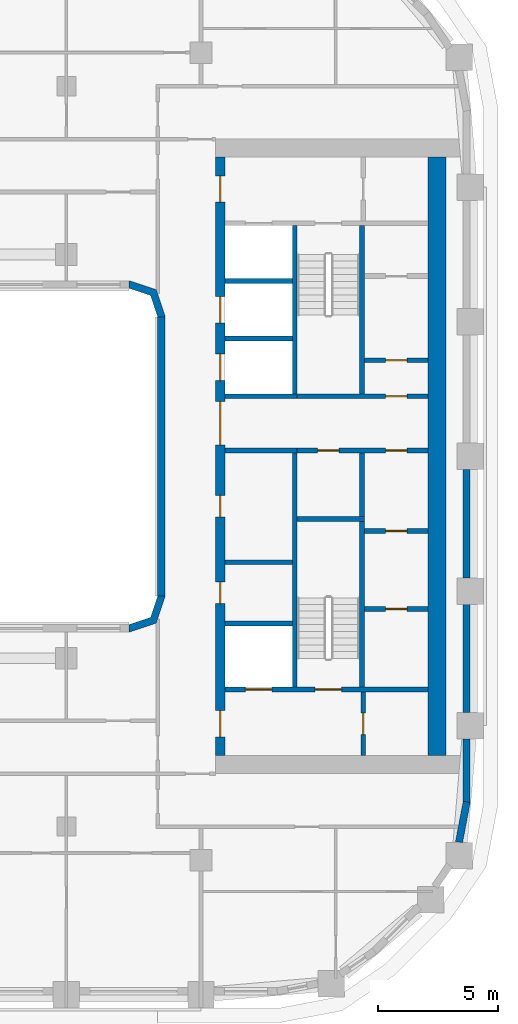
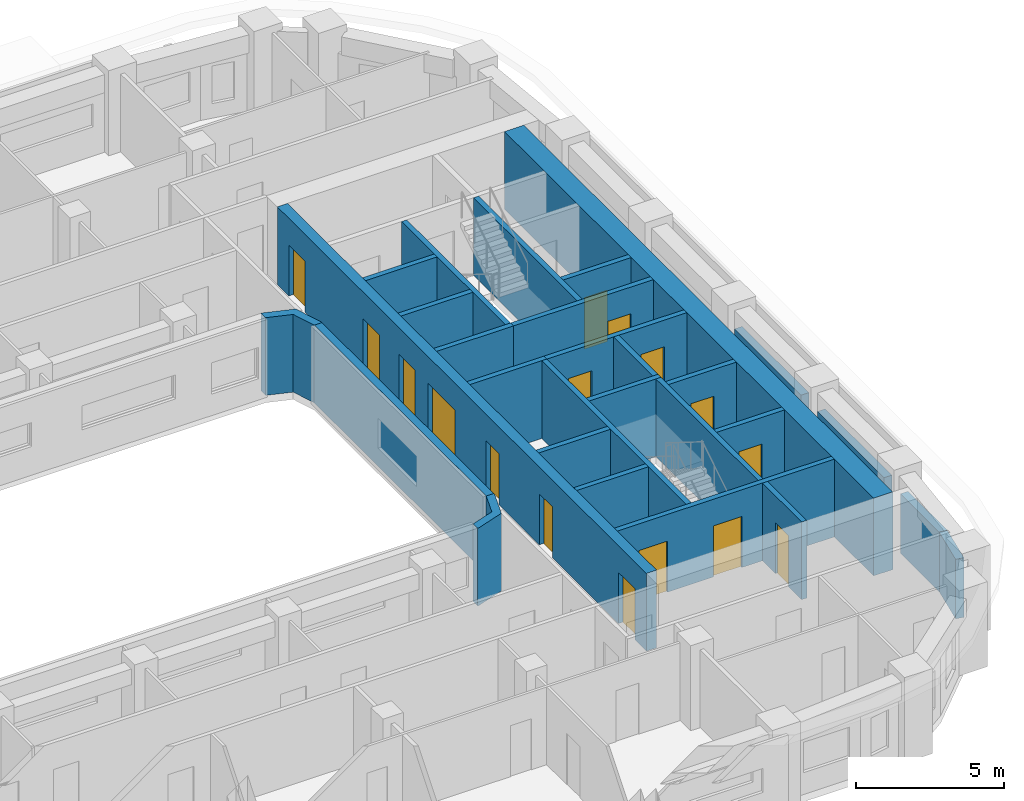
# One storey, part 6 of 22: 28 walls, 16 doors, 16 openings.
"""IFC4 building model written with IfcOpenShell, lengths in metres."""

import ifcopenshell
import ifcopenshell.guid

model = None  # the IFC model being written
_history = None  # IfcOwnerHistory: only IFC2X3 demands one
_inside = {}  # id of a spatial element -> (the spatial element, [elements in it])
_under = {}  # id of a project, library or spatial element -> (it, [spatial elements below it])
_declared = {}  # id of a project -> (the project, [libraries it declares])
_typed = {}  # id of a type object -> (the type object, [elements of that type])
_made_of = {}  # id of a material, layer set ... -> (it, [elements and type objects made of it])


def new_model(schema):
    """Start an empty IFC model of exactly this schema.

    Asked for "IFC4X3", IfcOpenShell would pick the latest addendum, in which some entities
    have other attributes; the version numbers below select the first issue.
    IFC2X3 requires an IfcOwnerHistory on every rooted entity: one is made here for all.
    """
    global model, _history
    if schema == "IFC4X3":
        model = ifcopenshell.file(schema_version=(4, 3, 0, 0))
    else:
        model = ifcopenshell.file(schema=schema)
    _inside.clear()
    _under.clear()
    _declared.clear()
    _typed.clear()
    _made_of.clear()
    _history = None
    if model.schema == "IFC2X3":
        org = make("IfcOrganization", Name="unknown")
        user = make(
            "IfcPersonAndOrganization",
            ThePerson=make("IfcPerson", FamilyName="unknown"),
            TheOrganization=org,
        )
        app = make(
            "IfcApplication",
            ApplicationDeveloper=org,
            Version="unknown",
            ApplicationFullName="unknown",
            ApplicationIdentifier="unknown",
        )
        _history = make(
            "IfcOwnerHistory",
            OwningUser=user,
            OwningApplication=app,
            ChangeAction="ADDED",
            CreationDate=0,
        )
    return model


def make(cls, **values):
    """One entity of the class cls with the attributes given. An attribute that is None is left unset."""
    return model.create_entity(
        cls, **{name: value for name, value in values.items() if value is not None}
    )


def rooted(cls, **values):
    """An entity with a GlobalId (a new one), such as an element, a storey or a relation."""
    return make(cls, GlobalId=ifcopenshell.guid.new(), OwnerHistory=_history, **values)


def si_unit(unit_type, name, prefix=None):
    """IfcSIUnit, for example si_unit("LENGTHUNIT", "METRE", prefix="MILLI")."""
    return make("IfcSIUnit", UnitType=unit_type, Prefix=prefix, Name=name)


def assignment(units):
    """IfcUnitAssignment: the units of a project."""
    return None if units is None else make("IfcUnitAssignment", Units=units)


def point(xyz):
    """IfcCartesianPoint."""
    return None if xyz is None else make("IfcCartesianPoint", Coordinates=xyz)


def direction(xyz):
    """IfcDirection."""
    return None if xyz is None else make("IfcDirection", DirectionRatios=xyz)


def frame(location, z_axis=None, x_axis=None):
    """IfcAxis2Placement3D, a coordinate frame: its origin and axes. An axis left out is left unset."""
    return make(
        "IfcAxis2Placement3D",
        Location=point(location),
        Axis=direction(z_axis),
        RefDirection=direction(x_axis),
    )


def frame_2d(location, x_axis=None):
    """IfcAxis2Placement2D, a coordinate frame in the plane: its origin and x axis."""
    return make(
        "IfcAxis2Placement2D", Location=point(location), RefDirection=direction(x_axis)
    )


def origin():
    """The frame at (0, 0, 0) with its axes left unset."""
    return frame((0.0, 0.0, 0.0))


def place(relative_to, where):
    """IfcLocalPlacement: puts the frame where relative to a parent placement (None: the world)."""
    return make(
        "IfcLocalPlacement", PlacementRelTo=relative_to, RelativePlacement=where
    )


def context(
    kind, dimensions, precision=None, world=None, true_north=None, identifier=None
):
    """IfcGeometricRepresentationContext, for example the 3D "Model" context."""
    return make(
        "IfcGeometricRepresentationContext",
        ContextIdentifier=identifier,
        ContextType=kind,
        CoordinateSpaceDimension=dimensions,
        Precision=precision,
        WorldCoordinateSystem=world,
        TrueNorth=true_north,
    )


def subcontext(parent, identifier, kind, view, scale=None):
    """IfcGeometricRepresentationSubContext, for example "Body" below "Model"."""
    return make(
        "IfcGeometricRepresentationSubContext",
        ContextIdentifier=identifier,
        ContextType=kind,
        ParentContext=parent,
        TargetScale=scale,
        TargetView=view,
    )


def project(units=None, contexts=None):
    """IfcProject with its units and contexts."""
    return rooted(
        "IfcProject",
        Name="project",
        RepresentationContexts=contexts,
        UnitsInContext=assignment(units),
    )


def spatial(cls, under=None, at=None, **own):
    """A site, building, storey or space (cls), placed at a placement, below another one or the project."""
    s = rooted(cls, ObjectPlacement=at, **own)
    if under is not None:
        _under.setdefault(under.id(), (under, []))[1].append(s)
    return s


def polyline(points):
    """IfcPolyline through the points."""
    return make("IfcPolyline", Points=[point(p) for p in points])


def profile(cls, at=None, kind="AREA", **sizes):
    """A parametric profile (cls). Its sizes go by their IFC names, for example OverallWidth=200.0."""
    return make(cls, ProfileType=kind, Position=at, **sizes)


def rectangle(**sizes):
    """IfcRectangleProfileDef."""
    return profile("IfcRectangleProfileDef", **sizes)


def outline(outer, holes=None, kind="AREA"):
    """IfcArbitraryClosedProfileDef: a profile drawn as a closed curve; with holes, ...WithVoids."""
    if holes is None:
        return make("IfcArbitraryClosedProfileDef", ProfileType=kind, OuterCurve=outer)
    return make(
        "IfcArbitraryProfileDefWithVoids",
        ProfileType=kind,
        OuterCurve=outer,
        InnerCurves=holes,
    )


def extrude(swept, where, along, depth):
    """IfcExtrudedAreaSolid: the profile swept, set in the frame where, extruded along a direction by depth."""
    return make(
        "IfcExtrudedAreaSolid",
        SweptArea=swept,
        Position=where,
        ExtrudedDirection=direction(along),
        Depth=depth,
    )


def shape(context_of_items, identifier, shape_type, items):
    """IfcShapeRepresentation: the items that make up one representation, for example the "Body"."""
    return make(
        "IfcShapeRepresentation",
        ContextOfItems=context_of_items,
        RepresentationIdentifier=identifier,
        RepresentationType=shape_type,
        Items=items,
    )


def material(Name=None, Category=None):
    """IfcMaterial."""
    return make("IfcMaterial", Name=Name, Category=Category)


def layer(
    of_material, thickness, ventilated=None, Name=None, Category=None, Priority=None
):
    """IfcMaterialLayer: one layer of a wall or slab, of a material (None: an air gap)."""
    return make(
        "IfcMaterialLayer",
        Material=of_material,
        LayerThickness=thickness,
        IsVentilated=ventilated,
        Name=Name,
        Category=Category,
        Priority=Priority,
    )


def layer_set(layers, Name=None):
    """IfcMaterialLayerSet."""
    return make("IfcMaterialLayerSet", MaterialLayers=layers, LayerSetName=Name)


def made_of(thing, what):
    """Note that an element or type object is made of a material, layer set ...; save() writes the relation."""
    if what is not None:
        _made_of.setdefault(what.id(), (what, []))[1].append(thing)
    return thing


def type_object(cls, material=None, **own):
    """A type object (cls), such as IfcWallType, which elements share."""
    return made_of(rooted(cls, **own), material)


def element(
    cls,
    number,
    at=None,
    inside=None,
    cuts=None,
    type_object=None,
    material=None,
    context=None,
    identifier="Body",
    shape_type=None,
    held_by="IfcProductDefinitionShape",
    body=None,
    shapes=None,
    **own,
):
    """One element of the class cls, such as IfcWall. Its Tag is "e" and its number.

    at: its placement. inside: the storey or other place that contains it. cuts: it is an
    opening in that element (IfcRelVoidsElement). A single representation is given by context,
    identifier, shape_type and body (its items); several are given by shapes. held_by: the class
    of the entity that holds the representations. save() writes the other relations.
    """
    e = rooted(cls, Tag="e%d" % number, ObjectPlacement=at, **own)
    if body is not None:
        shapes = [shape(context, identifier, shape_type, body)]
    if shapes is not None:
        e.Representation = make(held_by, Representations=shapes)
    if inside is not None:
        _inside.setdefault(inside.id(), (inside, []))[1].append(e)
    if cuts is not None:
        rooted(
            "IfcRelVoidsElement", RelatingBuildingElement=cuts, RelatedOpeningElement=e
        )
    if type_object is not None:
        _typed.setdefault(type_object.id(), (type_object, []))[1].append(e)
    return made_of(e, material)


def fill(opening, filler):
    """IfcRelFillsElement: the door or window that sits in an opening."""
    return rooted(
        "IfcRelFillsElement",
        RelatingOpeningElement=opening,
        RelatedBuildingElement=filler,
    )


def aggregate(whole, parts):
    """IfcRelAggregates: a whole, such as a stair, and the parts it consists of."""
    return rooted("IfcRelAggregates", RelatingObject=whole, RelatedObjects=parts)


def save(model, path):
    """Write the relations noted so far, then the file.

    IfcRelAggregates (storeys below a building ...), IfcRelContainedInSpatialStructure (elements
    in a storey), IfcRelDefinesByType, IfcRelAssociatesMaterial and IfcRelDeclares: one each for
    every whole, place, type object, material and project.
    """
    for whole, parts in _under.values():
        aggregate(whole, parts)
    for where, things in _inside.values():
        rooted(
            "IfcRelContainedInSpatialStructure",
            RelatedElements=things,
            RelatingStructure=where,
        )
    for kind, things in _typed.values():
        rooted("IfcRelDefinesByType", RelatedObjects=things, RelatingType=kind)
    for what, things in _made_of.values():
        rooted("IfcRelAssociatesMaterial", RelatedObjects=things, RelatingMaterial=what)
    for by, libraries in _declared.values():
        rooted("IfcRelDeclares", RelatingContext=by, RelatedDefinitions=libraries)
    model.write(path)


model = new_model("IFC4")

# Units and contexts
model_context = context("Model", 3, precision=1e-05, world=origin(), true_north=direction((0.0, 1.0)))
body_context = subcontext(model_context, "Body", "Model", "MODEL_VIEW")
ifc_project = project(units=[si_unit("LENGTHUNIT", "METRE"), si_unit("AREAUNIT", "SQUARE_METRE"), si_unit("VOLUMEUNIT", "CUBIC_METRE"), si_unit("PLANEANGLEUNIT", "RADIAN"), si_unit("MASSUNIT", "GRAM", prefix="KILO")], contexts=[model_context])

# Site, building, storey
site_placement = place(None, origin())
site = spatial("IfcSite", under=ifc_project, at=site_placement, CompositionType="ELEMENT")
building_placement = place(site_placement, origin())
building = spatial("IfcBuilding", under=site, at=building_placement, Name="Kiln Ring Residences", CompositionType="ELEMENT")
storey_placement = place(building_placement, frame((0.0, 0.0, 153.60009765625)))
storey = spatial("IfcBuildingStorey", under=building, at=storey_placement, Name="L39", CompositionType="ELEMENT", Elevation=153.60009765625)

# Wall
ifc_material_1 = material(Name="Gypsum board on steel studs", Category="steel")
ifc_layer_1 = layer(ifc_material_1, 0.199951171875)
ifc_layer_set_1 = layer_set([ifc_layer_1], Name="CORE-PARTITION-200")
wall_type_1 = type_object("IfcWallType", Name="CORE-PARTITION-200", PredefinedType="PARTITIONING", material=ifc_layer_set_1)
wall_1_placement = place(storey_placement, frame((23.5, -2.5, 0.0), z_axis=(0.0, 0.0, 1.0), x_axis=(0.0, 1.0, 0.0)))
element("IfcWall", 1, at=wall_1_placement, inside=storey, type_object=wall_type_1, Name="Core partition east L39 1", PredefinedType="PARTITIONING", context=body_context, shape_type="SweptSolid", body=[
    extrude(rectangle(XDim=2.64990234375, YDim=0.199951171875, at=frame_2d((1.324951171875, 0.0))), origin(), (0.0, 0.0, 1.0), 3.199951171875),
])

# Wall, openings, doors
wall_2_placement = place(storey_placement, frame((20.800048828125, 0.25, 0.0), z_axis=(0.0, 0.0, 1.0), x_axis=(1.0, 0.0, 0.0)))
wall_2 = element("IfcWall", 2, at=wall_2_placement, inside=storey, type_object=wall_type_1, Name="Core partition east L39 2", PredefinedType="PARTITIONING", context=body_context, shape_type="SweptSolid", body=[
    extrude(rectangle(XDim=5.449951171875, YDim=0.199951171875, at=frame_2d((2.72509765625, 0.0))), origin(), (0.0, 0.0, 1.0), 3.199951171875),
])
opening_1_placement = place(wall_2_placement, frame((0.85009765625, 0.0, 0.0)))
opening_1 = element("IfcOpeningElement", 3, at=opening_1_placement, cuts=wall_2, Name="Opening L39-CE14", PredefinedType="OPENING", context=body_context, shape_type="SweptSolid", body=[
    extrude(rectangle(XDim=0.89990234375, YDim=2.10009765625, at=frame_2d((0.449951171875, 1.050048828125))), frame((0.0, 0.10986328125, 0.0), z_axis=(0.0, -1.0, 0.0), x_axis=(1.0, 0.0, 0.0)), (0.0, 0.0, 1.0), 0.219970703125),
])
opening_2_placement = place(wall_2_placement, frame((3.675048828125, 0.0, 0.0)))
opening_2 = element("IfcOpeningElement", 4, at=opening_2_placement, cuts=wall_2, Name="Opening L39-CE17", PredefinedType="OPENING", context=body_context, shape_type="SweptSolid", body=[
    extrude(rectangle(XDim=0.89990234375, YDim=2.10009765625, at=frame_2d((0.449951171875, 1.050048828125))), frame((0.0, 0.10986328125, 0.0), z_axis=(0.0, -1.0, 0.0), x_axis=(1.0, 0.0, 0.0)), (0.0, 0.0, 1.0), 0.219970703125),
])
ifc_material_2 = material(Name="Steel door leaf", Category="steel")
door_type_1 = type_object("IfcDoorType", Name="CORE-DOOR-ROOM", OperationType="SINGLE_SWING_LEFT", PredefinedType="DOOR", material=ifc_material_2)
door_1_placement = place(opening_1_placement, origin())
door_1 = element("IfcDoor", 5, at=door_1_placement, inside=storey, type_object=door_type_1, Name="Electrical riser room L39-CE14", OperationType="SINGLE_SWING_LEFT", OverallHeight=2.10009765625, OverallWidth=0.89990234375, PredefinedType="DOOR", context=body_context, shape_type="SweptSolid", body=[
    extrude(rectangle(XDim=0.89990234375, YDim=2.10009765625, at=frame_2d((0.449951171875, 1.050048828125))), frame((0.0, 0.02490234375, 0.0), z_axis=(0.0, -1.0, 0.0), x_axis=(1.0, 0.0, 0.0)), (0.0, 0.0, 1.0), 0.050048828125),
])
fill(opening_1, door_1)
door_2_placement = place(opening_2_placement, origin())
door_2 = element("IfcDoor", 6, at=door_2_placement, inside=storey, type_object=door_type_1, Name="Plant room L39-CE17", OperationType="SINGLE_SWING_RIGHT", OverallHeight=2.10009765625, OverallWidth=0.89990234375, PredefinedType="DOOR", context=body_context, shape_type="SweptSolid", body=[
    extrude(rectangle(XDim=0.89990234375, YDim=2.10009765625, at=frame_2d((0.449951171875, 1.050048828125))), frame((0.0, 0.02490234375, 0.0), z_axis=(0.0, -1.0, 0.0), x_axis=(1.0, 0.0, 0.0)), (0.0, 0.0, 1.0), 0.050048828125),
])
fill(opening_2, door_2)

# Wall
wall_3_placement = place(storey_placement, frame((17.800048828125, -4.39990234375, 0.0), z_axis=(0.0, 0.0, 1.0), x_axis=(1.0, 0.0, 0.0)))
element("IfcWall", 7, at=wall_3_placement, inside=storey, type_object=wall_type_1, Name="Core partition east L39 3", PredefinedType="PARTITIONING", context=body_context, shape_type="SweptSolid", body=[
    extrude(rectangle(XDim=2.800048828125, YDim=0.199951171875, at=frame_2d((1.39990234375, 0.0))), origin(), (0.0, 0.0, 1.0), 3.199951171875),
])

# Wall, opening, door
wall_4_placement = place(storey_placement, frame((23.550048828125, -12.449951171875, 0.0), z_axis=(0.0, 0.0, 1.0), x_axis=(0.0, 1.0, 0.0)))
wall_4 = element("IfcWall", 8, at=wall_4_placement, inside=storey, type_object=wall_type_1, Name="Core partition east L39 5", PredefinedType="PARTITIONING", context=body_context, shape_type="SweptSolid", body=[
    extrude(rectangle(XDim=2.64990234375, YDim=0.199951171875, at=frame_2d((1.324951171875, 0.0))), origin(), (0.0, 0.0, 1.0), 3.199951171875),
])
opening_3_placement = place(wall_4_placement, frame((0.875, 0.0, 0.0)))
opening_3 = element("IfcOpeningElement", 9, at=opening_3_placement, cuts=wall_4, Name="Opening L39-CE10", PredefinedType="OPENING", context=body_context, shape_type="SweptSolid", body=[
    extrude(rectangle(XDim=0.89990234375, YDim=2.10009765625, at=frame_2d((0.449951171875, 1.050048828125))), frame((0.0, 0.10986328125, 0.0), z_axis=(0.0, -1.0, 0.0), x_axis=(1.0, 0.0, 0.0)), (0.0, 0.0, 1.0), 0.219970703125),
])
door_3_placement = place(opening_3_placement, origin())
door_3 = element("IfcDoor", 10, at=door_3_placement, inside=storey, type_object=door_type_1, Name="Store L39-CE10", OperationType="SINGLE_SWING_LEFT", OverallHeight=2.10009765625, OverallWidth=0.89990234375, PredefinedType="DOOR", context=body_context, shape_type="SweptSolid", body=[
    extrude(rectangle(XDim=0.89990234375, YDim=2.10009765625, at=frame_2d((0.449951171875, 1.050048828125))), frame((0.0, 0.02490234375, 0.0), z_axis=(0.0, -1.0, 0.0), x_axis=(1.0, 0.0, 0.0)), (0.0, 0.0, 1.0), 0.050048828125),
])
fill(opening_3, door_3)

wall_5_placement = place(storey_placement, frame((23.60009765625, -6.35009765625, 0.0), z_axis=(0.0, 0.0, 1.0), x_axis=(1.0, 0.0, 0.0)))
wall_5 = element("IfcWall", 11, at=wall_5_placement, inside=storey, type_object=wall_type_1, Name="Core partition east L39 6", PredefinedType="PARTITIONING", context=body_context, shape_type="SweptSolid", body=[
    extrude(rectangle(XDim=2.64990234375, YDim=0.199951171875, at=frame_2d((1.324951171875, 0.0))), origin(), (0.0, 0.0, 1.0), 3.199951171875),
])
opening_4_placement = place(wall_5_placement, frame((0.875, 0.0, 0.0)))
opening_4 = element("IfcOpeningElement", 12, at=opening_4_placement, cuts=wall_5, Name="Opening L39-CE15", PredefinedType="OPENING", context=body_context, shape_type="SweptSolid", body=[
    extrude(rectangle(XDim=0.89990234375, YDim=2.10009765625, at=frame_2d((0.449951171875, 1.050048828125))), frame((0.0, 0.10986328125, 0.0), z_axis=(0.0, -1.0, 0.0), x_axis=(1.0, 0.0, 0.0)), (0.0, 0.0, 1.0), 0.219970703125),
])
door_4_placement = place(opening_4_placement, origin())
door_4 = element("IfcDoor", 13, at=door_4_placement, inside=storey, type_object=door_type_1, Name="Meter room L39-CE15", OperationType="SINGLE_SWING_LEFT", OverallHeight=2.10009765625, OverallWidth=0.89990234375, PredefinedType="DOOR", context=body_context, shape_type="SweptSolid", body=[
    extrude(rectangle(XDim=0.89990234375, YDim=2.10009765625, at=frame_2d((0.449951171875, 1.050048828125))), frame((0.0, 0.02490234375, 0.0), z_axis=(0.0, -1.0, 0.0), x_axis=(1.0, 0.0, 0.0)), (0.0, 0.0, 1.0), 0.050048828125),
])
fill(opening_4, door_4)

wall_6_placement = place(storey_placement, frame((23.60009765625, -3.10009765625, 0.0), z_axis=(0.0, 0.0, 1.0), x_axis=(1.0, 0.0, 0.0)))
wall_6 = element("IfcWall", 14, at=wall_6_placement, inside=storey, type_object=wall_type_1, Name="Core partition east L39 7", PredefinedType="PARTITIONING", context=body_context, shape_type="SweptSolid", body=[
    extrude(rectangle(XDim=2.64990234375, YDim=0.199951171875, at=frame_2d((1.324951171875, 0.0))), origin(), (0.0, 0.0, 1.0), 3.199951171875),
])
opening_5_placement = place(wall_6_placement, frame((0.875, 0.0, 0.0)))
opening_5 = element("IfcOpeningElement", 15, at=opening_5_placement, cuts=wall_6, Name="Opening L39-CE16", PredefinedType="OPENING", context=body_context, shape_type="SweptSolid", body=[
    extrude(rectangle(XDim=0.89990234375, YDim=2.10009765625, at=frame_2d((0.449951171875, 1.050048828125))), frame((0.0, 0.10986328125, 0.0), z_axis=(0.0, -1.0, 0.0), x_axis=(1.0, 0.0, 0.0)), (0.0, 0.0, 1.0), 0.219970703125),
])
door_5_placement = place(opening_5_placement, origin())
door_5 = element("IfcDoor", 16, at=door_5_placement, inside=storey, type_object=door_type_1, Name="Plant room L39-CE16", OperationType="SINGLE_SWING_RIGHT", OverallHeight=2.10009765625, OverallWidth=0.89990234375, PredefinedType="DOOR", context=body_context, shape_type="SweptSolid", body=[
    extrude(rectangle(XDim=0.89990234375, YDim=2.10009765625, at=frame_2d((0.449951171875, 1.050048828125))), frame((0.0, 0.02490234375, 0.0), z_axis=(0.0, -1.0, 0.0), x_axis=(1.0, 0.0, 0.0)), (0.0, 0.0, 1.0), 0.050048828125),
])
fill(opening_5, door_5)

wall_7_placement = place(storey_placement, frame((23.60009765625, 4.0, 0.0), z_axis=(0.0, 0.0, 1.0), x_axis=(1.0, 0.0, 0.0)))
wall_7 = element("IfcWall", 17, at=wall_7_placement, inside=storey, type_object=wall_type_1, Name="Core partition east L39 8", PredefinedType="PARTITIONING", context=body_context, shape_type="SweptSolid", body=[
    extrude(rectangle(XDim=2.64990234375, YDim=0.199951171875, at=frame_2d((1.324951171875, 0.0))), origin(), (0.0, 0.0, 1.0), 3.199951171875),
])
opening_6_placement = place(wall_7_placement, frame((0.875, 0.0, 0.0)))
opening_6 = element("IfcOpeningElement", 18, at=opening_6_placement, cuts=wall_7, Name="Opening L39-CE18", PredefinedType="OPENING", context=body_context, shape_type="SweptSolid", body=[
    extrude(rectangle(XDim=0.89990234375, YDim=2.10009765625, at=frame_2d((0.449951171875, 1.050048828125))), frame((0.0, 0.10986328125, 0.0), z_axis=(0.0, -1.0, 0.0), x_axis=(1.0, 0.0, 0.0)), (0.0, 0.0, 1.0), 0.219970703125),
])
door_6_placement = place(opening_6_placement, origin())
door_6 = element("IfcDoor", 19, at=door_6_placement, inside=storey, type_object=door_type_1, Name="Electrical plant room L39-CE18", OperationType="SINGLE_SWING_RIGHT", OverallHeight=2.10009765625, OverallWidth=0.89990234375, PredefinedType="DOOR", context=body_context, shape_type="SweptSolid", body=[
    extrude(rectangle(XDim=0.89990234375, YDim=2.10009765625, at=frame_2d((0.449951171875, 1.050048828125))), frame((0.0, 0.02490234375, 0.0), z_axis=(0.0, -1.0, 0.0), x_axis=(1.0, 0.0, 0.0)), (0.0, 0.0, 1.0), 0.050048828125),
])
fill(opening_6, door_6)

# Walls
ifc_material_3 = material(Name="Gypsum shaft wall system")
ifc_layer_2 = layer(ifc_material_3, 0.199951171875)
ifc_layer_set_2 = layer_set([ifc_layer_2], Name="CORE-SHAFT-WALL-200")
wall_type_2 = type_object("IfcWallType", Name="CORE-SHAFT-WALL-200", PredefinedType="PARTITIONING", material=ifc_layer_set_2)
wall_8_placement = place(storey_placement, frame((17.800048828125, -6.949951171875, 0.0), z_axis=(0.0, 0.0, 1.0), x_axis=(1.0, 0.0, 0.0)))
element("IfcWall", 20, at=wall_8_placement, inside=storey, type_object=wall_type_2, Name="Core partition east L39 10", PredefinedType="PARTITIONING", context=body_context, shape_type="SweptSolid", body=[
    extrude(rectangle(XDim=2.800048828125, YDim=0.199951171875, at=frame_2d((1.39990234375, 0.0))), origin(), (0.0, 0.0, 1.0), 3.199951171875),
])
for number, where, z_axis, x_axis, name in (
    (21, (17.800048828125, 0.25, 0.0), (0.0, 0.0, 1.0), (1.0, 0.0, 0.0), "Core partition east L39 11"),
    (22, (17.800048828125, 2.5, 0.0), (0.0, 0.0, 1.0), (1.0, 0.0, 0.0), "Core partition east L39 12"),
):
    element("IfcWall", number, at=place(storey_placement, frame(where, z_axis=z_axis, x_axis=x_axis)), inside=storey, type_object=wall_type_2, Name=name, PredefinedType="PARTITIONING", context=body_context, shape_type="SweptSolid", body=[
        extrude(rectangle(XDim=3.0, YDim=0.199951171875, at=frame_2d((1.5, 0.0))), origin(), (0.0, 0.0, 1.0), 3.199951171875),
    ])
for number, where, z_axis, x_axis, name in (
    (23, (17.800048828125, 4.89990234375, 0.0), (0.0, 0.0, 1.0), (1.0, 0.0, 0.0), "Core partition east L39 13"),
    (24, (17.800048828125, 7.300048828125, 0.0), (0.0, 0.0, 1.0), (1.0, 0.0, 0.0), "Core partition east L39 14"),
):
    element("IfcWall", number, at=place(storey_placement, frame(where, z_axis=z_axis, x_axis=x_axis)), inside=storey, type_object=wall_type_2, Name=name, PredefinedType="PARTITIONING", context=body_context, shape_type="SweptSolid", body=[
        extrude(rectangle(XDim=2.800048828125, YDim=0.199951171875, at=frame_2d((1.39990234375, 0.0))), origin(), (0.0, 0.0, 1.0), 3.199951171875),
    ])
ifc_material_4 = material(Name="Concrete C40/50", Category="concrete")
ifc_layer_3 = layer(ifc_material_4, 0.199951171875)
ifc_layer_set_3 = layer_set([ifc_layer_3], Name="CORE-WALL-RC200")
wall_type_3 = type_object("IfcWallType", Name="CORE-WALL-RC200", PredefinedType="SHEAR", material=ifc_layer_set_3)
wall_9_placement = place(storey_placement, frame((20.699951171875, 2.60009765625, 0.0), z_axis=(0.0, 0.0, 1.0), x_axis=(0.0, 1.0, 0.0)))
element("IfcWall", 25, at=wall_9_placement, inside=storey, type_object=wall_type_3, Name="Core wall east L39 1", PredefinedType="SHEAR", context=body_context, shape_type="SweptSolid", body=[
    extrude(rectangle(XDim=7.0, YDim=0.199951171875, at=frame_2d((3.5, 0.0))), origin(), (0.0, 0.0, 1.0), 3.199951171875),
])
wall_10_placement = place(storey_placement, frame((20.699951171875, -9.60009765625, 0.0), z_axis=(0.0, 0.0, 1.0), x_axis=(0.0, 1.0, 0.0)))
element("IfcWall", 26, at=wall_10_placement, inside=storey, type_object=wall_type_3, Name="Core wall east L39 2", PredefinedType="SHEAR", context=body_context, shape_type="SweptSolid", body=[
    extrude(rectangle(XDim=9.75, YDim=0.199951171875, at=frame_2d((4.875, 0.0))), origin(), (0.0, 0.0, 1.0), 3.199951171875),
])

# Wall, opening, door
wall_11_placement = place(storey_placement, frame((20.800048828125, 2.5, 0.0), z_axis=(0.0, 0.0, 1.0), x_axis=(1.0, 0.0, 0.0)))
wall_11 = element("IfcWall", 27, at=wall_11_placement, inside=storey, type_object=wall_type_3, Name="Core wall east L39 3", PredefinedType="SHEAR", context=body_context, shape_type="SweptSolid", body=[
    extrude(rectangle(XDim=5.449951171875, YDim=0.199951171875, at=frame_2d((2.72509765625, 0.0))), origin(), (0.0, 0.0, 1.0), 3.199951171875),
])
opening_7_placement = place(wall_11_placement, frame((3.675048828125, 0.0, 0.0)))
opening_7 = element("IfcOpeningElement", 28, at=opening_7_placement, cuts=wall_11, Name="Opening L39-CE20", PredefinedType="OPENING", context=body_context, shape_type="SweptSolid", body=[
    extrude(rectangle(XDim=0.89990234375, YDim=2.10009765625, at=frame_2d((0.449951171875, 1.050048828125))), frame((0.0, 0.10986328125, 0.0), z_axis=(0.0, -1.0, 0.0), x_axis=(1.0, 0.0, 0.0)), (0.0, 0.0, 1.0), 0.219970703125),
])
door_7_placement = place(opening_7_placement, origin())
door_7 = element("IfcDoor", 29, at=door_7_placement, inside=storey, type_object=door_type_1, Name="Comms room L39-CE20", OperationType="SINGLE_SWING_RIGHT", OverallHeight=2.10009765625, OverallWidth=0.89990234375, PredefinedType="DOOR", context=body_context, shape_type="SweptSolid", body=[
    extrude(rectangle(XDim=0.89990234375, YDim=2.10009765625, at=frame_2d((0.449951171875, 1.050048828125))), frame((0.0, 0.02490234375, 0.0), z_axis=(0.0, -1.0, 0.0), x_axis=(1.0, 0.0, 0.0)), (0.0, 0.0, 1.0), 0.050048828125),
])
fill(opening_7, door_7)

# Wall, openings, doors
wall_12_placement = place(storey_placement, frame((17.800048828125, -9.699951171875, 0.0), z_axis=(0.0, 0.0, 1.0), x_axis=(1.0, 0.0, 0.0)))
wall_12 = element("IfcWall", 30, at=wall_12_placement, inside=storey, type_object=wall_type_3, Name="Core wall east L39 8", PredefinedType="SHEAR", context=body_context, shape_type="SweptSolid", body=[
    extrude(rectangle(XDim=8.449951171875, YDim=0.199951171875, at=frame_2d((4.22509765625, 0.0))), origin(), (0.0, 0.0, 1.0), 3.199951171875),
])
opening_8_placement = place(wall_12_placement, frame((0.85009765625, 0.0, 0.0)))
opening_8 = element("IfcOpeningElement", 31, at=opening_8_placement, cuts=wall_12, Name="Opening L39-CE01", PredefinedType="OPENING", context=body_context, shape_type="SweptSolid", body=[
    extrude(rectangle(XDim=1.10009765625, YDim=2.10009765625, at=frame_2d((0.550048828125, 1.050048828125))), frame((0.0, 0.10986328125, 0.0), z_axis=(0.0, -1.0, 0.0), x_axis=(1.0, 0.0, 0.0)), (0.0, 0.0, 1.0), 0.219970703125),
])
opening_9_placement = place(wall_12_placement, frame((3.75, 0.0, 0.0)))
opening_9 = element("IfcOpeningElement", 32, at=opening_9_placement, cuts=wall_12, Name="Opening L39-CE12", PredefinedType="OPENING", context=body_context, shape_type="SweptSolid", body=[
    extrude(rectangle(XDim=1.10009765625, YDim=2.10009765625, at=frame_2d((0.550048828125, 1.050048828125))), frame((0.0, 0.10986328125, 0.0), z_axis=(0.0, -1.0, 0.0), x_axis=(1.0, 0.0, 0.0)), (0.0, 0.0, 1.0), 0.219970703125),
])
ifc_material_5 = material(Name="Steel door leaf", Category="steel")
door_type_2 = type_object("IfcDoorType", Name="CORE-DOOR-LD", OperationType="DOUBLE_DOOR_SLIDING", PredefinedType="DOOR", material=ifc_material_5)
door_8_placement = place(opening_8_placement, origin())
door_8 = element("IfcDoor", 33, at=door_8_placement, inside=storey, type_object=door_type_2, Name="LD E-SV L39-CE01", OperationType="DOUBLE_DOOR_SLIDING", OverallHeight=2.10009765625, OverallWidth=1.10009765625, PredefinedType="DOOR", context=body_context, shape_type="SweptSolid", body=[
    extrude(rectangle(XDim=1.10009765625, YDim=2.10009765625, at=frame_2d((0.550048828125, 1.050048828125))), frame((0.0, 0.02490234375, 0.0), z_axis=(0.0, -1.0, 0.0), x_axis=(1.0, 0.0, 0.0)), (0.0, 0.0, 1.0), 0.050048828125),
])
fill(opening_8, door_8)
ifc_material_6 = material(Name="Steel door leaf", Category="steel")
door_type_3 = type_object("IfcDoorType", Name="CORE-DOOR-STAIR", OperationType="SINGLE_SWING_LEFT", PredefinedType="DOOR", material=ifc_material_6)
door_9_placement = place(opening_9_placement, origin())
door_9 = element("IfcDoor", 34, at=door_9_placement, inside=storey, type_object=door_type_3, Name="Stair E-STS L39-CE12", OperationType="SINGLE_SWING_RIGHT", OverallHeight=2.10009765625, OverallWidth=1.10009765625, PredefinedType="DOOR", context=body_context, shape_type="SweptSolid", body=[
    extrude(rectangle(XDim=1.10009765625, YDim=2.10009765625, at=frame_2d((0.550048828125, 1.050048828125))), frame((0.0, 0.02490234375, 0.0), z_axis=(0.0, -1.0, 0.0), x_axis=(1.0, 0.0, 0.0)), (0.0, 0.0, 1.0), 0.050048828125),
])
fill(opening_9, door_9)

# Walls
wall_13_placement = place(storey_placement, frame((23.5, 2.60009765625, 0.0), z_axis=(0.0, 0.0, 1.0), x_axis=(0.0, 1.0, 0.0)))
element("IfcWall", 35, at=wall_13_placement, inside=storey, type_object=wall_type_3, Name="Core wall east L39 10", PredefinedType="SHEAR", context=body_context, shape_type="SweptSolid", body=[
    extrude(rectangle(XDim=7.0, YDim=0.199951171875, at=frame_2d((3.5, 0.0))), origin(), (0.0, 0.0, 1.0), 3.199951171875),
])
wall_14_placement = place(storey_placement, frame((23.5, -9.60009765625, 0.0), z_axis=(0.0, 0.0, 1.0), x_axis=(0.0, 1.0, 0.0)))
element("IfcWall", 36, at=wall_14_placement, inside=storey, type_object=wall_type_3, Name="Core wall east L39 11", PredefinedType="SHEAR", context=body_context, shape_type="SweptSolid", body=[
    extrude(rectangle(XDim=6.900146484375, YDim=0.199951171875, at=frame_2d((3.4501953125, 0.0))), origin(), (0.0, 0.0, 1.0), 3.199951171875),
])
wall_15_placement = place(storey_placement, frame((20.800048828125, -2.60009765625, 0.0), z_axis=(0.0, 0.0, 1.0), x_axis=(1.0, 0.0, 0.0)))
element("IfcWall", 37, at=wall_15_placement, inside=storey, type_object=wall_type_3, Name="Core wall east L39 12", PredefinedType="SHEAR", context=body_context, shape_type="SweptSolid", body=[
    extrude(rectangle(XDim=2.800048828125, YDim=0.199951171875, at=frame_2d((1.39990234375, 0.0))), origin(), (0.0, 0.0, 1.0), 3.199951171875),
])

# Wall, openings, doors
ifc_material_7 = material(Name="Concrete C60/75", Category="concrete")
ifc_layer_4 = layer(ifc_material_7, 0.39990234375)
ifc_layer_set_4 = layer_set([ifc_layer_4], Name="CORE-WALL-RC400")
wall_type_4 = type_object("IfcWallType", Name="CORE-WALL-RC400", PredefinedType="SHEAR", material=ifc_layer_set_4)
wall_16_placement = place(storey_placement, frame((17.60009765625, -12.449951171875, 0.0), z_axis=(0.0, 0.0, 1.0), x_axis=(0.0, 1.0, 0.0)))
wall_16 = element("IfcWall", 38, at=wall_16_placement, inside=storey, type_object=wall_type_4, Name="Core wall east L39 6", PredefinedType="SHEAR", context=body_context, shape_type="SweptSolid", body=[
    extrude(rectangle(XDim=24.89990234375, YDim=0.39990234375, at=frame_2d((12.449951171875, 0.0))), origin(), (0.0, 0.0, 1.0), 3.199951171875),
])
opening_10_placement = place(wall_16_placement, frame((6.324951171875, 0.0, 0.0)))
opening_10 = element("IfcOpeningElement", 39, at=opening_10_placement, cuts=wall_16, Name="Opening L39-CE02", PredefinedType="OPENING", context=body_context, shape_type="SweptSolid", body=[
    extrude(rectangle(XDim=0.89990234375, YDim=2.10009765625, at=frame_2d((0.449951171875, 1.050048828125))), frame((0.0, 0.2099609375, 0.0), z_axis=(0.0, -1.0, 0.0), x_axis=(1.0, 0.0, 0.0)), (0.0, 0.0, 1.0), 0.419921875),
])
opening_11_placement = place(wall_16_placement, frame((9.925048828125, 0.0, 0.0)))
opening_11 = element("IfcOpeningElement", 40, at=opening_11_placement, cuts=wall_16, Name="Opening L39-CE03", PredefinedType="OPENING", context=body_context, shape_type="SweptSolid", body=[
    extrude(rectangle(XDim=0.89990234375, YDim=2.10009765625, at=frame_2d((0.449951171875, 1.050048828125))), frame((0.0, 0.2099609375, 0.0), z_axis=(0.0, -1.0, 0.0), x_axis=(1.0, 0.0, 0.0)), (0.0, 0.0, 1.0), 0.419921875),
])
opening_12_placement = place(wall_16_placement, frame((15.60009765625, 0.0, 0.0)))
opening_12 = element("IfcOpeningElement", 41, at=opening_12_placement, cuts=wall_16, Name="Opening L39-CE04", PredefinedType="OPENING", context=body_context, shape_type="SweptSolid", body=[
    extrude(rectangle(XDim=1.10009765625, YDim=2.10009765625, at=frame_2d((0.550048828125, 1.050048828125))), frame((0.0, 0.2099609375, 0.0), z_axis=(0.0, -1.0, 0.0), x_axis=(1.0, 0.0, 0.0)), (0.0, 0.0, 1.0), 0.419921875),
])
opening_13_placement = place(wall_16_placement, frame((18.0, 0.0, 0.0)))
opening_13 = element("IfcOpeningElement", 42, at=opening_13_placement, cuts=wall_16, Name="Opening L39-CE05", PredefinedType="OPENING", context=body_context, shape_type="SweptSolid", body=[
    extrude(rectangle(XDim=1.10009765625, YDim=2.10009765625, at=frame_2d((0.550048828125, 1.050048828125))), frame((0.0, 0.2099609375, 0.0), z_axis=(0.0, -1.0, 0.0), x_axis=(1.0, 0.0, 0.0)), (0.0, 0.0, 1.0), 0.419921875),
])
opening_14_placement = place(wall_16_placement, frame((23.02490234375, 0.0, 0.0)))
opening_14 = element("IfcOpeningElement", 43, at=opening_14_placement, cuts=wall_16, Name="Opening L39-CE07", PredefinedType="OPENING", context=body_context, shape_type="SweptSolid", body=[
    extrude(rectangle(XDim=1.10009765625, YDim=2.10009765625, at=frame_2d((0.550048828125, 1.050048828125))), frame((0.0, 0.2099609375, 0.0), z_axis=(0.0, -1.0, 0.0), x_axis=(1.0, 0.0, 0.0)), (0.0, 0.0, 1.0), 0.419921875),
])
opening_15_placement = place(wall_16_placement, frame((0.77490234375, 0.0, 0.0)))
opening_15 = element("IfcOpeningElement", 44, at=opening_15_placement, cuts=wall_16, Name="Opening L39-CE08", PredefinedType="OPENING", context=body_context, shape_type="SweptSolid", body=[
    extrude(rectangle(XDim=1.10009765625, YDim=2.10009765625, at=frame_2d((0.550048828125, 1.050048828125))), frame((0.0, 0.2099609375, 0.0), z_axis=(0.0, -1.0, 0.0), x_axis=(1.0, 0.0, 0.0)), (0.0, 0.0, 1.0), 0.419921875),
])
opening_16_placement = place(wall_16_placement, frame((12.925048828125, 0.0, 0.0)))
opening_16 = element("IfcOpeningElement", 45, at=opening_16_placement, cuts=wall_16, Name="Opening L39-CE13", PredefinedType="OPENING", context=body_context, shape_type="SweptSolid", body=[
    extrude(rectangle(XDim=1.800048828125, YDim=2.10009765625, at=frame_2d((0.89990234375, 1.050048828125))), frame((0.0, 0.2099609375, 0.0), z_axis=(0.0, -1.0, 0.0), x_axis=(1.0, 0.0, 0.0)), (0.0, 0.0, 1.0), 0.419921875),
])
door_10_placement = place(opening_12_placement, origin())
door_10 = element("IfcDoor", 46, at=door_10_placement, inside=storey, type_object=door_type_2, Name="LD E-M1 L39-CE04", OperationType="DOUBLE_DOOR_SLIDING", OverallHeight=2.10009765625, OverallWidth=1.10009765625, PredefinedType="DOOR", context=body_context, shape_type="SweptSolid", body=[
    extrude(rectangle(XDim=1.10009765625, YDim=2.10009765625, at=frame_2d((0.550048828125, 1.050048828125))), frame((0.0, 0.02490234375, 0.0), z_axis=(0.0, -1.0, 0.0), x_axis=(1.0, 0.0, 0.0)), (0.0, 0.0, 1.0), 0.050048828125),
])
fill(opening_12, door_10)
door_11_placement = place(opening_13_placement, origin())
door_11 = element("IfcDoor", 47, at=door_11_placement, inside=storey, type_object=door_type_2, Name="LD E-M2 L39-CE05", OperationType="DOUBLE_DOOR_SLIDING", OverallHeight=2.10009765625, OverallWidth=1.10009765625, PredefinedType="DOOR", context=body_context, shape_type="SweptSolid", body=[
    extrude(rectangle(XDim=1.10009765625, YDim=2.10009765625, at=frame_2d((0.550048828125, 1.050048828125))), frame((0.0, 0.02490234375, 0.0), z_axis=(0.0, -1.0, 0.0), x_axis=(1.0, 0.0, 0.0)), (0.0, 0.0, 1.0), 0.050048828125),
])
fill(opening_13, door_11)
ifc_material_8 = material(Name="Steel door leaf", Category="steel")
door_type_4 = type_object("IfcDoorType", Name="CORE-DOOR-LOBBY", OperationType="SINGLE_SWING_LEFT", PredefinedType="DOOR", material=ifc_material_8)
door_12_placement = place(opening_14_placement, origin())
door_12 = element("IfcDoor", 48, at=door_12_placement, inside=storey, type_object=door_type_4, Name="FFL L39-CE07", OperationType="SINGLE_SWING_LEFT", OverallHeight=2.10009765625, OverallWidth=1.10009765625, PredefinedType="DOOR", context=body_context, shape_type="SweptSolid", body=[
    extrude(rectangle(XDim=1.10009765625, YDim=2.10009765625, at=frame_2d((0.550048828125, 1.050048828125))), frame((0.0, 0.02490234375, 0.0), z_axis=(0.0, -1.0, 0.0), x_axis=(1.0, 0.0, 0.0)), (0.0, 0.0, 1.0), 0.050048828125),
])
fill(opening_14, door_12)
door_13_placement = place(opening_15_placement, origin())
door_13 = element("IfcDoor", 49, at=door_13_placement, inside=storey, type_object=door_type_4, Name="SVL L39-CE08", OperationType="SINGLE_SWING_RIGHT", OverallHeight=2.10009765625, OverallWidth=1.10009765625, PredefinedType="DOOR", context=body_context, shape_type="SweptSolid", body=[
    extrude(rectangle(XDim=1.10009765625, YDim=2.10009765625, at=frame_2d((0.550048828125, 1.050048828125))), frame((0.0, 0.02490234375, 0.0), z_axis=(0.0, -1.0, 0.0), x_axis=(1.0, 0.0, 0.0)), (0.0, 0.0, 1.0), 0.050048828125),
])
fill(opening_15, door_13)
ifc_material_9 = material(Name="Steel door leaf", Category="steel")
door_type_5 = type_object("IfcDoorType", Name="CORE-DOOR-PASS", OperationType="DOUBLE_DOOR_SINGLE_SWING", PredefinedType="DOOR", material=ifc_material_9)
door_14_placement = place(opening_16_placement, origin())
door_14 = element("IfcDoor", 50, at=door_14_placement, inside=storey, type_object=door_type_5, Name="Core passage L39-CE13", OperationType="DOUBLE_DOOR_SINGLE_SWING", OverallHeight=2.10009765625, OverallWidth=1.800048828125, PredefinedType="DOOR", context=body_context, shape_type="SweptSolid", body=[
    extrude(rectangle(XDim=1.800048828125, YDim=2.10009765625, at=frame_2d((0.89990234375, 1.050048828125))), frame((0.0, 0.02490234375, 0.0), z_axis=(0.0, -1.0, 0.0), x_axis=(1.0, 0.0, 0.0)), (0.0, 0.0, 1.0), 0.050048828125),
])
fill(opening_16, door_14)
door_15_placement = place(opening_10_placement, origin())
door_15 = element("IfcDoor", 51, at=door_15_placement, inside=storey, type_object=door_type_1, Name="Goods store L39-CE02", OperationType="SINGLE_SWING_LEFT", OverallHeight=2.10009765625, OverallWidth=0.89990234375, PredefinedType="DOOR", context=body_context, shape_type="SweptSolid", body=[
    extrude(rectangle(XDim=0.89990234375, YDim=2.10009765625, at=frame_2d((0.449951171875, 1.050048828125))), frame((0.0, 0.02490234375, 0.0), z_axis=(0.0, -1.0, 0.0), x_axis=(1.0, 0.0, 0.0)), (0.0, 0.0, 1.0), 0.050048828125),
])
fill(opening_10, door_15)
door_16_placement = place(opening_11_placement, origin())
door_16 = element("IfcDoor", 52, at=door_16_placement, inside=storey, type_object=door_type_1, Name="Storage room L39-CE03", OperationType="SINGLE_SWING_RIGHT", OverallHeight=2.10009765625, OverallWidth=0.89990234375, PredefinedType="DOOR", context=body_context, shape_type="SweptSolid", body=[
    extrude(rectangle(XDim=0.89990234375, YDim=2.10009765625, at=frame_2d((0.449951171875, 1.050048828125))), frame((0.0, 0.02490234375, 0.0), z_axis=(0.0, -1.0, 0.0), x_axis=(1.0, 0.0, 0.0)), (0.0, 0.0, 1.0), 0.050048828125),
])
fill(opening_11, door_16)

# Walls
ifc_material_10 = material(Name="Concrete C60/75", Category="concrete")
ifc_layer_5 = layer(ifc_material_10, 0.75)
ifc_layer_set_5 = layer_set([ifc_layer_5], Name="CORE-WALL-RC750")
wall_type_5 = type_object("IfcWallType", Name="CORE-WALL-RC750", PredefinedType="SHEAR", material=ifc_layer_set_5)
wall_17_placement = place(storey_placement, frame((26.625, -12.449951171875, 0.0), z_axis=(0.0, 0.0, 1.0), x_axis=(0.0, 1.0, 0.0)))
element("IfcWall", 53, at=wall_17_placement, inside=storey, type_object=wall_type_5, Name="Core wall east L39 7", PredefinedType="SHEAR", context=body_context, shape_type="SweptSolid", body=[
    extrude(rectangle(XDim=24.89990234375, YDim=0.75, at=frame_2d((12.449951171875, 0.0))), origin(), (0.0, 0.0, 1.0), 3.199951171875),
])
ifc_material_11 = material(Name="Brick masonry, dark clay brick", Category="masonry")
ifc_layer_6 = layer(ifc_material_11, 0.300048828125)
ifc_layer_set_6 = layer_set([ifc_layer_6], Name="EW-300 BRICK WALL")
wall_type_6 = type_object("IfcWallType", Name="EW-300 BRICK WALL", PredefinedType="SOLIDWALL", material=ifc_layer_set_6)
wall_18_placement = place(storey_placement, frame((27.532958984375, -16.0478515625, 0.0), z_axis=(0.0, 0.0, 1.0), x_axis=(0.187302784601, 0.982302227871, 0.0)))
element("IfcWall", 54, at=wall_18_placement, inside=storey, type_object=wall_type_6, Name="Facade wall L39 16", PredefinedType="SOLIDWALL", context=body_context, shape_type="SweptSolid", body=[
    extrude(rectangle(XDim=1.706298828125, YDim=0.300048828125, at=frame_2d((0.85302734375, 0.0))), origin(), (0.0, 0.0, 1.0), 2.449951171875),
])
wall_19_placement = place(storey_placement, frame((27.85009765625, -14.39990234375, 0.0), z_axis=(0.0, 0.0, 1.0), x_axis=(0.0, 1.0, 0.0)))
element("IfcWall", 55, at=wall_19_placement, inside=storey, type_object=wall_type_6, Name="Facade wall L39 17", PredefinedType="SOLIDWALL", context=body_context, shape_type="SweptSolid", body=[
    extrude(rectangle(XDim=2.64990234375, YDim=0.300048828125, at=frame_2d((1.324951171875, 0.0))), origin(), (0.0, 0.0, 1.0), 2.449951171875),
])
for number, where, z_axis, x_axis, name in (
    (56, (27.85009765625, -10.64990234375, 0.0), (0.0, 0.0, 1.0), (0.0, 1.0, 0.0), "Facade wall L39 18"),
    (57, (27.85009765625, -5.050048828125, 0.0), (0.0, 0.0, 1.0), (0.0, 1.0, 0.0), "Facade wall L39 19"),
):
    element("IfcWall", number, at=place(storey_placement, frame(where, z_axis=z_axis, x_axis=x_axis)), inside=storey, type_object=wall_type_6, Name=name, PredefinedType="SOLIDWALL", context=body_context, shape_type="SweptSolid", body=[
        extrude(rectangle(XDim=4.5, YDim=0.300048828125, at=frame_2d((2.25, 0.0))), origin(), (0.0, 0.0, 1.0), 2.449951171875),
    ])
wall_20_placement = place(storey_placement, frame((15.14990234375, 5.800048828125, 0.0), z_axis=(0.0, 0.0, 1.0), x_axis=(0.0, -1.0, 0.0)))
element("IfcWall", 58, at=wall_20_placement, inside=storey, type_object=wall_type_6, Name="Facade wall L39 51", PredefinedType="SOLIDWALL", context=body_context, shape_type="SweptSolid", body=[
    extrude(rectangle(XDim=11.60009765625, YDim=0.300048828125, at=frame_2d((5.800048828125, 0.0))), origin(), (0.0, 0.0, 1.0), 3.199951171875),
])
placement = place(storey_placement, origin())
element("IfcWall", 59, at=placement, inside=storey, type_object=wall_type_6, Name="Corner wall L39 2", PredefinedType="SOLIDWALL", context=body_context, shape_type="SweptSolid", body=[
    extrude(outline(polyline([(14.937255859375, 6.937255859375), (13.8486328125, 7.300048828125), (13.800048828125, 7.300048828125), (13.800048828125, 7.0), (14.699951171875, 6.699951171875), (15.0, 5.800048828125), (15.300048828125, 5.800048828125), (15.300048828125, 5.8486328125), (14.937255859375, 6.937255859375)])), origin(), (0.0, 0.0, 1.0), 3.199951171875),
])
element("IfcWall", 60, at=placement, inside=storey, type_object=wall_type_6, Name="Corner wall L39 3", PredefinedType="SOLIDWALL", context=body_context, shape_type="SweptSolid", body=[
    extrude(outline(polyline([(14.937255859375, -6.937255859375), (15.300048828125, -5.8486328125), (15.300048828125, -5.800048828125), (15.0, -5.800048828125), (14.699951171875, -6.699951171875), (13.800048828125, -7.0), (13.800048828125, -7.300048828125), (13.8486328125, -7.300048828125), (14.937255859375, -6.937255859375)])), origin(), (0.0, 0.0, 1.0), 3.199951171875),
])

save(model, "model.ifc")
